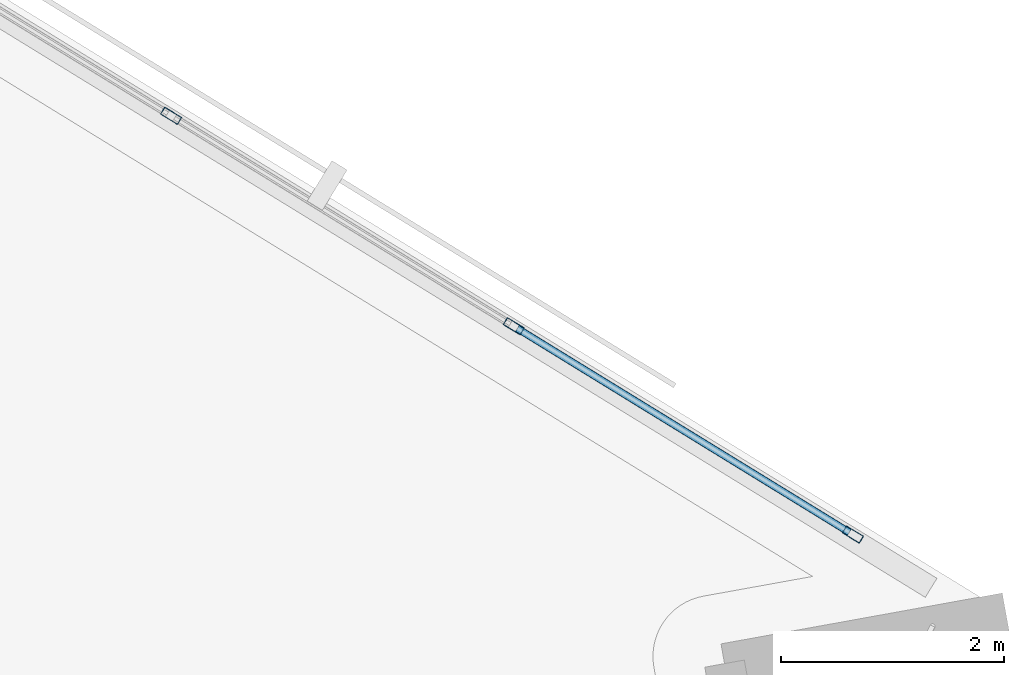
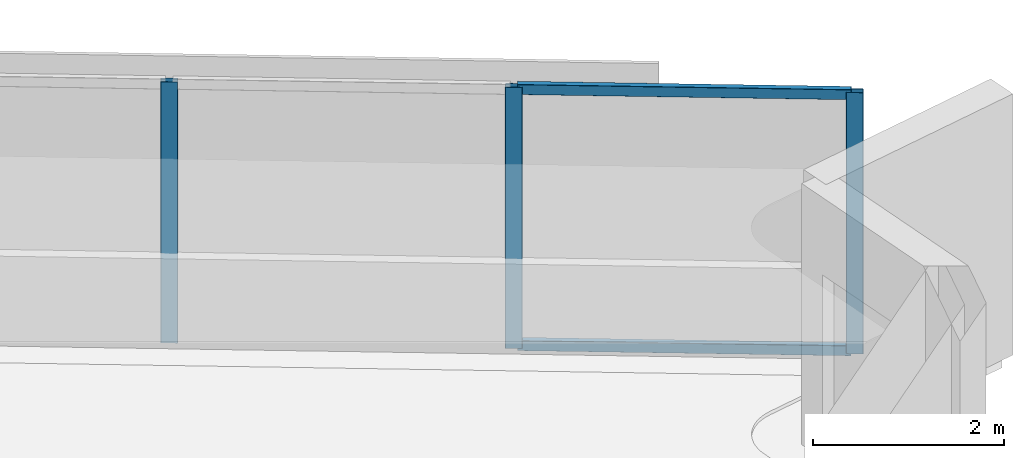
# One storey, part 4 of 18: 5 members, 1 element without a shape of its own.
"""IFC4 building model written with IfcOpenShell, lengths in metres."""

import ifcopenshell
import ifcopenshell.guid

model = None  # the IFC model being written
_history = None  # IfcOwnerHistory: only IFC2X3 demands one
_inside = {}  # id of a spatial element -> (the spatial element, [elements in it])
_under = {}  # id of a project, library or spatial element -> (it, [spatial elements below it])
_declared = {}  # id of a project -> (the project, [libraries it declares])
_typed = {}  # id of a type object -> (the type object, [elements of that type])
_made_of = {}  # id of a material, layer set ... -> (it, [elements and type objects made of it])


def new_model(schema):
    """Start an empty IFC model of exactly this schema.

    Asked for "IFC4X3", IfcOpenShell would pick the latest addendum, in which some entities
    have other attributes; the version numbers below select the first issue.
    IFC2X3 requires an IfcOwnerHistory on every rooted entity: one is made here for all.
    """
    global model, _history
    if schema == "IFC4X3":
        model = ifcopenshell.file(schema_version=(4, 3, 0, 0))
    else:
        model = ifcopenshell.file(schema=schema)
    _inside.clear()
    _under.clear()
    _declared.clear()
    _typed.clear()
    _made_of.clear()
    _history = None
    if model.schema == "IFC2X3":
        org = make("IfcOrganization", Name="unknown")
        user = make(
            "IfcPersonAndOrganization",
            ThePerson=make("IfcPerson", FamilyName="unknown"),
            TheOrganization=org,
        )
        app = make(
            "IfcApplication",
            ApplicationDeveloper=org,
            Version="unknown",
            ApplicationFullName="unknown",
            ApplicationIdentifier="unknown",
        )
        _history = make(
            "IfcOwnerHistory",
            OwningUser=user,
            OwningApplication=app,
            ChangeAction="ADDED",
            CreationDate=0,
        )
    return model


def make(cls, **values):
    """One entity of the class cls with the attributes given. An attribute that is None is left unset."""
    return model.create_entity(
        cls, **{name: value for name, value in values.items() if value is not None}
    )


def rooted(cls, **values):
    """An entity with a GlobalId (a new one), such as an element, a storey or a relation."""
    return make(cls, GlobalId=ifcopenshell.guid.new(), OwnerHistory=_history, **values)


def si_unit(unit_type, name, prefix=None):
    """IfcSIUnit, for example si_unit("LENGTHUNIT", "METRE", prefix="MILLI")."""
    return make("IfcSIUnit", UnitType=unit_type, Prefix=prefix, Name=name)


def assignment(units):
    """IfcUnitAssignment: the units of a project."""
    return None if units is None else make("IfcUnitAssignment", Units=units)


def point(xyz):
    """IfcCartesianPoint."""
    return None if xyz is None else make("IfcCartesianPoint", Coordinates=xyz)


def direction(xyz):
    """IfcDirection."""
    return None if xyz is None else make("IfcDirection", DirectionRatios=xyz)


def frame(location, z_axis=None, x_axis=None):
    """IfcAxis2Placement3D, a coordinate frame: its origin and axes. An axis left out is left unset."""
    return make(
        "IfcAxis2Placement3D",
        Location=point(location),
        Axis=direction(z_axis),
        RefDirection=direction(x_axis),
    )


def frame_2d(location, x_axis=None):
    """IfcAxis2Placement2D, a coordinate frame in the plane: its origin and x axis."""
    return make(
        "IfcAxis2Placement2D", Location=point(location), RefDirection=direction(x_axis)
    )


def origin():
    """The frame at (0, 0, 0) with its axes left unset."""
    return frame((0.0, 0.0, 0.0))


def origin_2d():
    """The frame at (0, 0) in the plane with its x axis left unset."""
    return frame_2d((0.0, 0.0))


def place(relative_to, where):
    """IfcLocalPlacement: puts the frame where relative to a parent placement (None: the world)."""
    return make(
        "IfcLocalPlacement", PlacementRelTo=relative_to, RelativePlacement=where
    )


def context(
    kind, dimensions, precision=None, world=None, true_north=None, identifier=None
):
    """IfcGeometricRepresentationContext, for example the 3D "Model" context."""
    return make(
        "IfcGeometricRepresentationContext",
        ContextIdentifier=identifier,
        ContextType=kind,
        CoordinateSpaceDimension=dimensions,
        Precision=precision,
        WorldCoordinateSystem=world,
        TrueNorth=true_north,
    )


def subcontext(parent, identifier, kind, view, scale=None):
    """IfcGeometricRepresentationSubContext, for example "Body" below "Model"."""
    return make(
        "IfcGeometricRepresentationSubContext",
        ContextIdentifier=identifier,
        ContextType=kind,
        ParentContext=parent,
        TargetScale=scale,
        TargetView=view,
    )


def project(units=None, contexts=None):
    """IfcProject with its units and contexts."""
    return rooted(
        "IfcProject",
        Name="project",
        RepresentationContexts=contexts,
        UnitsInContext=assignment(units),
    )


def spatial(cls, under=None, at=None, **own):
    """A site, building, storey or space (cls), placed at a placement, below another one or the project."""
    s = rooted(cls, ObjectPlacement=at, **own)
    if under is not None:
        _under.setdefault(under.id(), (under, []))[1].append(s)
    return s


def profile(cls, at=None, kind="AREA", **sizes):
    """A parametric profile (cls). Its sizes go by their IFC names, for example OverallWidth=200.0."""
    return make(cls, ProfileType=kind, Position=at, **sizes)


def hollow_rectangle(**sizes):
    """IfcRectangleHollowProfileDef."""
    return profile("IfcRectangleHollowProfileDef", **sizes)


def extrude(swept, where, along, depth):
    """IfcExtrudedAreaSolid: the profile swept, set in the frame where, extruded along a direction by depth."""
    return make(
        "IfcExtrudedAreaSolid",
        SweptArea=swept,
        Position=where,
        ExtrudedDirection=direction(along),
        Depth=depth,
    )


def shape(context_of_items, identifier, shape_type, items):
    """IfcShapeRepresentation: the items that make up one representation, for example the "Body"."""
    return make(
        "IfcShapeRepresentation",
        ContextOfItems=context_of_items,
        RepresentationIdentifier=identifier,
        RepresentationType=shape_type,
        Items=items,
    )


def material(Name=None, Category=None):
    """IfcMaterial."""
    return make("IfcMaterial", Name=Name, Category=Category)


def material_profile(
    of_material, cross_section, Name=None, Category=None, Priority=None
):
    """IfcMaterialProfile: a cross section and its material."""
    return make(
        "IfcMaterialProfile",
        Name=Name,
        Material=of_material,
        Profile=cross_section,
        Priority=Priority,
        Category=Category,
    )


def profile_set(profiles, Name=None, composite=None):
    """IfcMaterialProfileSet."""
    return make(
        "IfcMaterialProfileSet",
        Name=Name,
        MaterialProfiles=profiles,
        CompositeProfile=composite,
    )


def made_of(thing, what):
    """Note that an element or type object is made of a material, layer set ...; save() writes the relation."""
    if what is not None:
        _made_of.setdefault(what.id(), (what, []))[1].append(thing)
    return thing


def type_object(cls, material=None, **own):
    """A type object (cls), such as IfcWallType, which elements share."""
    return made_of(rooted(cls, **own), material)


def element(
    cls,
    number,
    at=None,
    inside=None,
    cuts=None,
    type_object=None,
    material=None,
    context=None,
    identifier="Body",
    shape_type=None,
    held_by="IfcProductDefinitionShape",
    body=None,
    shapes=None,
    **own,
):
    """One element of the class cls, such as IfcWall. Its Tag is "e" and its number.

    at: its placement. inside: the storey or other place that contains it. cuts: it is an
    opening in that element (IfcRelVoidsElement). A single representation is given by context,
    identifier, shape_type and body (its items); several are given by shapes. held_by: the class
    of the entity that holds the representations. save() writes the other relations.
    """
    e = rooted(cls, Tag="e%d" % number, ObjectPlacement=at, **own)
    if body is not None:
        shapes = [shape(context, identifier, shape_type, body)]
    if shapes is not None:
        e.Representation = make(held_by, Representations=shapes)
    if inside is not None:
        _inside.setdefault(inside.id(), (inside, []))[1].append(e)
    if cuts is not None:
        rooted(
            "IfcRelVoidsElement", RelatingBuildingElement=cuts, RelatedOpeningElement=e
        )
    if type_object is not None:
        _typed.setdefault(type_object.id(), (type_object, []))[1].append(e)
    return made_of(e, material)


def aggregate(whole, parts):
    """IfcRelAggregates: a whole, such as a stair, and the parts it consists of."""
    return rooted("IfcRelAggregates", RelatingObject=whole, RelatedObjects=parts)


def save(model, path):
    """Write the relations noted so far, then the file.

    IfcRelAggregates (storeys below a building ...), IfcRelContainedInSpatialStructure (elements
    in a storey), IfcRelDefinesByType, IfcRelAssociatesMaterial and IfcRelDeclares: one each for
    every whole, place, type object, material and project.
    """
    for whole, parts in _under.values():
        aggregate(whole, parts)
    for where, things in _inside.values():
        rooted(
            "IfcRelContainedInSpatialStructure",
            RelatedElements=things,
            RelatingStructure=where,
        )
    for kind, things in _typed.values():
        rooted("IfcRelDefinesByType", RelatedObjects=things, RelatingType=kind)
    for what, things in _made_of.values():
        rooted("IfcRelAssociatesMaterial", RelatedObjects=things, RelatingMaterial=what)
    for by, libraries in _declared.values():
        rooted("IfcRelDeclares", RelatingContext=by, RelatedDefinitions=libraries)
    model.write(path)


model = new_model("IFC4")

# Units and contexts
model_context = context("Model", 3, precision=1e-05, world=origin(), true_north=direction((0.0, 1.0)))
body_context = subcontext(model_context, "Body", "Model", "MODEL_VIEW")
ifc_project = project(units=[si_unit("LENGTHUNIT", "METRE"), si_unit("AREAUNIT", "SQUARE_METRE"), si_unit("VOLUMEUNIT", "CUBIC_METRE"), si_unit("PLANEANGLEUNIT", "RADIAN"), si_unit("MASSUNIT", "GRAM", prefix="KILO")], contexts=[model_context])

# Site, building, storey
site_placement = place(None, origin())
site = spatial("IfcSite", under=ifc_project, at=site_placement, CompositionType="ELEMENT")
building_placement = place(site_placement, origin())
building = spatial("IfcBuilding", under=site, at=building_placement, Name="Narakoshi Arena Tower", CompositionType="ELEMENT")
storey_placement = place(building_placement, frame((0.0, 0.0, 102.89990234375)))
storey = spatial("IfcBuildingStorey", under=building, at=storey_placement, Name="L27", CompositionType="ELEMENT", Elevation=102.89990234375)

# Curtain wall, members
ifc_material = material(Name="Anodised bronze aluminium 6063-T6", Category="aluminium")
curtain_wall_type = type_object("IfcCurtainWallType", Name="CW-HYP-LOW", PredefinedType="NOTDEFINED", material=ifc_material)
curtain_wall_placement = place(storey_placement, origin())
curtain_wall = element("IfcCurtainWall", 1, at=curtain_wall_placement, inside=storey, type_object=curtain_wall_type, Name="L27 Folded Hypotenuse Curtain Wall 1-1", PredefinedType="NOTDEFINED")
ifc_material_profile_1 = material_profile(ifc_material, hollow_rectangle(XDim=0.074951171875, YDim=0.179931640625, WallThickness=0.00390625, OuterFilletRadius=0.0048828125, at=origin_2d()), Name="MUL180x75x4")
ifc_profile_set_1 = profile_set([ifc_material_profile_1], Name="Anodised bronze aluminium 6063-T6")
member_type_1 = type_object("IfcMemberType", Name="MEM-MUL-180", PredefinedType="MULLION", material=ifc_profile_set_1)
member_1_placement = place(storey_placement, frame((119.16259765625, 43.548583984375, 0.0), z_axis=(0.0, 0.0, 1.0), x_axis=(-0.523357676535, -0.852113104237, 0.0)))
member_1 = element("IfcMember", 2, at=member_1_placement, type_object=member_type_1, Name="CW-01 mullion 1", PredefinedType="MULLION", context=body_context, shape_type="SweptSolid", body=[
    extrude(hollow_rectangle(XDim=0.074951171875, YDim=0.179931640625, WallThickness=0.00390625, OuterFilletRadius=0.0048828125, at=origin_2d()), origin(), (0.0, 0.0, 1.0), 3.340087890625),
])
member_2_placement = place(storey_placement, frame((116.11767578125, 45.418701171875, 0.0), z_axis=(0.0, 0.0, 1.0), x_axis=(-0.523357676535, -0.852113104237, 0.0)))
member_2 = element("IfcMember", 3, at=member_2_placement, type_object=member_type_1, Name="CW-01 mullion 2", PredefinedType="MULLION", context=body_context, shape_type="SweptSolid", body=[
    extrude(hollow_rectangle(XDim=0.074951171875, YDim=0.179931640625, WallThickness=0.00390625, OuterFilletRadius=0.0048828125, at=origin_2d()), origin(), (0.0, 0.0, 1.0), 3.340087890625),
])
member_3_placement = place(storey_placement, frame((113.040771484375, 47.30859375, 0.0), z_axis=(0.0, 0.0, 1.0), x_axis=(-0.523357676535, -0.852113104237, 0.0)))
member_3 = element("IfcMember", 4, at=member_3_placement, type_object=member_type_1, Name="CW-01 mullion 3", PredefinedType="MULLION", context=body_context, shape_type="SweptSolid", body=[
    extrude(hollow_rectangle(XDim=0.074951171875, YDim=0.179931640625, WallThickness=0.00390625, OuterFilletRadius=0.0048828125, at=origin_2d()), origin(), (0.0, 0.0, 1.0), 3.340087890625),
])
ifc_material_profile_2 = material_profile(ifc_material, hollow_rectangle(XDim=0.06494140625, YDim=0.1298828125, WallThickness=0.00390625, OuterFilletRadius=0.0048828125, at=origin_2d()), Name="TRN130x65x4")
ifc_profile_set_2 = profile_set([ifc_material_profile_2], Name="Anodised bronze aluminium 6063-T6")
member_type_2 = type_object("IfcMemberType", Name="MEM-TRN-130", PredefinedType="USERDEFINED", material=ifc_profile_set_2)
member_4_placement = place(storey_placement, frame((119.130615234375, 43.568359375, 0.03271484375), z_axis=(-0.852120447829, 0.52334571976, 0.0), x_axis=(-0.52334571976, -0.852120447829, 0.0)))
member_4 = element("IfcMember", 5, at=member_4_placement, type_object=member_type_2, Name="CW-01 transom 1.1", ObjectType="TRANSOM", PredefinedType="USERDEFINED", context=body_context, shape_type="SweptSolid", body=[
    extrude(hollow_rectangle(XDim=0.06494140625, YDim=0.1298828125, WallThickness=0.00390625, OuterFilletRadius=0.0048828125, at=origin_2d()), origin(), (0.0, 0.0, 1.0), 3.498291015625),
])
member_5_placement = place(storey_placement, frame((119.130615234375, 43.568359375, 3.3076171875), z_axis=(-0.852120447829, 0.52334571976, 0.0), x_axis=(-0.52334571976, -0.852120447829, 0.0)))
member_5 = element("IfcMember", 6, at=member_5_placement, type_object=member_type_2, Name="CW-01 transom 1.2", ObjectType="TRANSOM", PredefinedType="USERDEFINED", context=body_context, shape_type="SweptSolid", body=[
    extrude(hollow_rectangle(XDim=0.06494140625, YDim=0.1298828125, WallThickness=0.00390625, OuterFilletRadius=0.0048828125, at=origin_2d()), origin(), (0.0, 0.0, 1.0), 3.498291015625),
])
aggregate(curtain_wall, [member_1, member_2, member_3, member_4, member_5])

save(model, "model.ifc")
